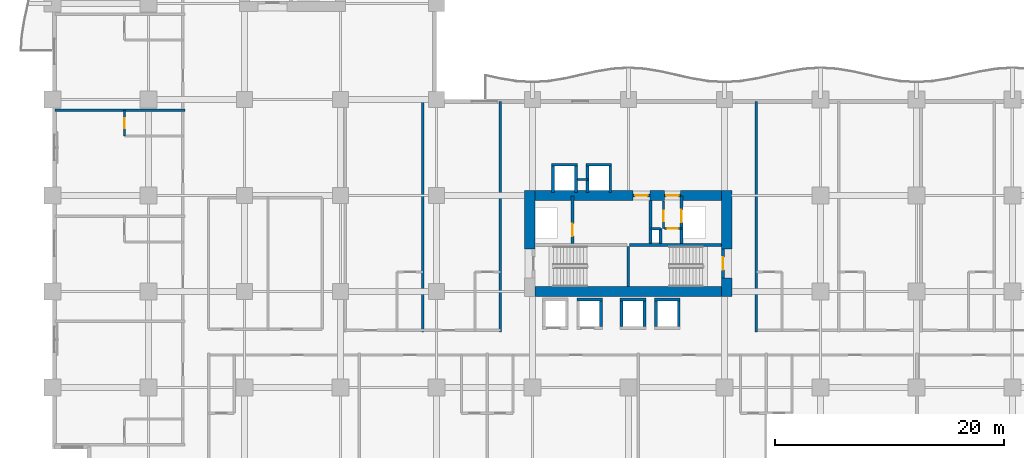
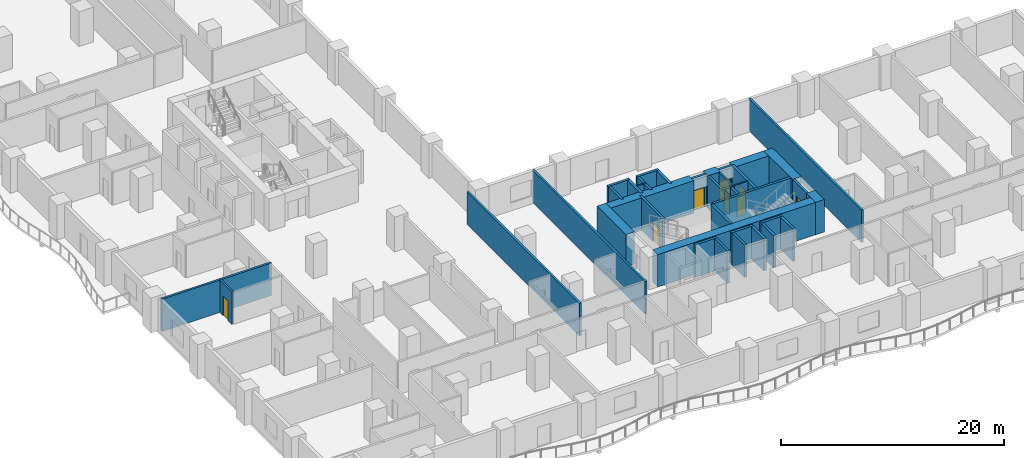
# One storey, part 10 of 24: 39 walls, 8 doors, 8 openings.
"""IFC4 building model written with IfcOpenShell, lengths in metres."""

from ifc_helpers import new_model, si_unit, direction, frame, frame_2d, origin, place, context, subcontext, project, spatial, rectangle, extrude, material, layer, layer_set, type_object, element, fill, save


model = new_model("IFC4")

# Units and contexts
model_context = context("Model", 3, precision=1e-05, world=origin(), true_north=direction((0.0, 1.0)))
body_context = subcontext(model_context, "Body", "Model", "MODEL_VIEW")
ifc_project = project(units=[si_unit("LENGTHUNIT", "METRE"), si_unit("AREAUNIT", "SQUARE_METRE"), si_unit("VOLUMEUNIT", "CUBIC_METRE"), si_unit("PLANEANGLEUNIT", "RADIAN"), si_unit("MASSUNIT", "GRAM", prefix="KILO")], contexts=[model_context])

# Site, building, storey
site_placement = place(None, origin())
site = spatial("IfcSite", under=ifc_project, at=site_placement, CompositionType="ELEMENT")
building_placement = place(site_placement, origin())
building = spatial("IfcBuilding", under=site, at=building_placement, Name="Koriwani Terraces Tower", CompositionType="ELEMENT")
storey_placement = place(building_placement, frame((0.0, 0.0, 47.199951171875)))
storey = spatial("IfcBuildingStorey", under=building, at=storey_placement, Name="L10", CompositionType="ELEMENT", Elevation=47.199951171875)

# Walls
ifc_material_1 = material(Name="Concrete C60/75", Category="concrete")
ifc_layer_1 = layer(ifc_material_1, 0.89990234375, Name="Concrete C60/75")
ifc_layer_set_1 = layer_set([ifc_layer_1], Name="Concrete C60/75")
wall_type_1 = type_object("IfcWallType", Name="WALL_CORE_RC_900", PredefinedType="SHEAR", material=ifc_layer_set_1)
wall_1_placement = place(storey_placement, frame((41.75, 20.5, 0.0), z_axis=(0.0, 0.0, 1.0), x_axis=(0.0, 1.0, 0.0)))
element("IfcWall", 1, at=wall_1_placement, inside=storey, type_object=wall_type_1, Name="L10 East Split Core Shear Wall W2", PredefinedType="SHEAR", context=body_context, shape_type="SweptSolid", body=[
    extrude(rectangle(XDim=5.14990234375, YDim=0.89990234375, at=frame_2d((2.574951171875, 0.0))), origin(), (0.0, 0.0, 1.0), 3.550048828125),
])
wall_2_placement = place(storey_placement, frame((59.0, 16.35009765625, 0.0), z_axis=(0.0, 0.0, 1.0), x_axis=(0.0, 1.0, 0.0)))
element("IfcWall", 2, at=wall_2_placement, inside=storey, type_object=wall_type_1, Name="L10 East Split Core Shear Wall E1", PredefinedType="SHEAR", context=body_context, shape_type="SweptSolid", body=[
    extrude(rectangle(XDim=1.64990234375, YDim=0.89990234375, at=frame_2d((0.824951171875, 0.0))), origin(), (0.0, 0.0, 1.0), 3.550048828125),
])
wall_3_placement = place(storey_placement, frame((59.0, 20.5, 0.0), z_axis=(0.0, 0.0, 1.0), x_axis=(0.0, 1.0, 0.0)))
element("IfcWall", 3, at=wall_3_placement, inside=storey, type_object=wall_type_1, Name="L10 East Split Core Shear Wall E2", PredefinedType="SHEAR", context=body_context, shape_type="SweptSolid", body=[
    extrude(rectangle(XDim=5.14990234375, YDim=0.89990234375, at=frame_2d((2.574951171875, 0.0))), origin(), (0.0, 0.0, 1.0), 3.550048828125),
])
wall_4_placement = place(storey_placement, frame((42.199951171875, 16.800048828125, 0.0), z_axis=(0.0, 0.0, 1.0), x_axis=(1.0, 0.0, 0.0)))
element("IfcWall", 4, at=wall_4_placement, inside=storey, type_object=wall_type_1, Name="L10 East Split Core Shear Wall S1", PredefinedType="SHEAR", context=body_context, shape_type="SweptSolid", body=[
    extrude(rectangle(XDim=16.35009765625, YDim=0.89990234375, at=frame_2d((8.175048828125, 0.0))), origin(), (0.0, 0.0, 1.0), 3.550048828125),
])
wall_5_placement = place(storey_placement, frame((42.199951171875, 25.199951171875, 0.0), z_axis=(0.0, 0.0, 1.0), x_axis=(1.0, 0.0, 0.0)))
element("IfcWall", 5, at=wall_5_placement, inside=storey, type_object=wall_type_1, Name="L10 East Split Core Shear Wall N1", PredefinedType="SHEAR", context=body_context, shape_type="SweptSolid", body=[
    extrude(rectangle(XDim=8.60009765625, YDim=0.89990234375, at=frame_2d((4.300048828125, 0.0))), origin(), (0.0, 0.0, 1.0), 3.550048828125),
])
wall_6_placement = place(storey_placement, frame((52.280029296875, 25.199951171875, 0.0), z_axis=(0.0, 0.0, 1.0), x_axis=(1.0, 0.0, 0.0)))
element("IfcWall", 6, at=wall_6_placement, inside=storey, type_object=wall_type_1, Name="L10 East Split Core Shear Wall N2", PredefinedType="SHEAR", context=body_context, shape_type="SweptSolid", body=[
    extrude(rectangle(XDim=1.27001953125, YDim=0.89990234375, at=frame_2d((0.635009765625, 0.0))), origin(), (0.0, 0.0, 1.0), 3.550048828125),
])
wall_7_placement = place(storey_placement, frame((54.949951171875, 25.199951171875, 0.0), z_axis=(0.0, 0.0, 1.0), x_axis=(1.0, 0.0, 0.0)))
element("IfcWall", 7, at=wall_7_placement, inside=storey, type_object=wall_type_1, Name="L10 East Split Core Shear Wall N3", PredefinedType="SHEAR", context=body_context, shape_type="SweptSolid", body=[
    extrude(rectangle(XDim=3.60009765625, YDim=0.89990234375, at=frame_2d((1.800048828125, 0.0))), origin(), (0.0, 0.0, 1.0), 3.550048828125),
])
ifc_material_2 = material(Name="Autoclaved Cellular Concrete Blockwork", Category="masonry")
ifc_layer_2 = layer(ifc_material_2, 0.219970703125, Name="Autoclaved Cellular Concrete Blockwork")
ifc_layer_set_2 = layer_set([ifc_layer_2], Name="Autoclaved Cellular Concrete Blockwork")
wall_type_2 = type_object("IfcWallType", Name="WALL_DEMISING_220", PredefinedType="PARTITIONING", material=ifc_layer_set_2)
for number, where, z_axis, x_axis, name in (
    (8, (32.39990234375, 13.25, 0.0), (0.0, 0.0, 1.0), (0.0, 1.0, 0.0), "L10 Interior Wall WDEM-L10-SWI-1"),
    (9, (39.199951171875, 13.25, 0.0), (0.0, 0.0, 1.0), (0.0, 1.0, 0.0), "L10 Interior Wall WDEME-L10-SWI"),
):
    element("IfcWall", number, at=place(storey_placement, frame(where, z_axis=z_axis, x_axis=x_axis)), inside=storey, type_object=wall_type_2, Name=name, PredefinedType="PARTITIONING", context=body_context, shape_type="SweptSolid", body=[
        extrude(rectangle(XDim=20.179931640625, YDim=0.219970703125, at=frame_2d((10.08984375, 0.0))), origin(), (0.0, 0.0, 1.0), 3.550048828125),
    ])
wall_8_placement = place(storey_placement, frame((0.199951171875, 32.64990234375, 0.0), z_axis=(0.0, 0.0, 1.0), x_axis=(1.0, 0.0, 0.0)))
element("IfcWall", 10, at=wall_8_placement, inside=storey, type_object=wall_type_2, Name="L10 Interior Wall WDEM-L10-NW-3", PredefinedType="PARTITIONING", context=body_context, shape_type="SweptSolid", body=[
    extrude(rectangle(XDim=11.380126953125, YDim=0.219970703125, at=frame_2d((5.68994140625, 0.0))), origin(), (0.0, 0.0, 1.0), 3.550048828125),
])
wall_9_placement = place(storey_placement, frame((61.60009765625, 13.25, 0.0), z_axis=(0.0, 0.0, 1.0), x_axis=(0.0, 1.0, 0.0)))
element("IfcWall", 11, at=wall_9_placement, inside=storey, type_object=wall_type_2, Name="L10 Interior Wall WDEM-L10-SE-0", PredefinedType="PARTITIONING", context=body_context, shape_type="SweptSolid", body=[
    extrude(rectangle(XDim=20.179931640625, YDim=0.219970703125, at=frame_2d((10.08984375, 0.0))), origin(), (0.0, 0.0, 1.0), 3.550048828125),
])

# Wall, opening, door
ifc_material_3 = material(Name="Fire-Rated Acoustic Gypsum Partition", Category="masonry")
ifc_layer_3 = layer(ifc_material_3, 0.179931640625, Name="Fire-Rated Acoustic Gypsum Partition")
ifc_layer_set_3 = layer_set([ifc_layer_3], Name="Fire-Rated Acoustic Gypsum Partition")
wall_type_3 = type_object("IfcWallType", Name="WALL_PLUMBING_180", PredefinedType="PLUMBINGWALL", material=ifc_layer_set_3)
wall_10_placement = place(storey_placement, frame((6.300048828125, 30.39990234375, 0.0), z_axis=(0.0, 0.0, 1.0), x_axis=(0.0, 1.0, 0.0)))
wall_10 = element("IfcWall", 12, at=wall_10_placement, inside=storey, type_object=wall_type_3, Name="L10 Interior Wall WBTH1-L10-NW-2", PredefinedType="PLUMBINGWALL", context=body_context, shape_type="SweptSolid", body=[
    extrude(rectangle(XDim=2.25, YDim=0.179931640625, at=frame_2d((1.125, 0.0))), origin(), (0.0, 0.0, 1.0), 3.550048828125),
])
opening_1_placement = place(wall_10_placement, frame((0.675048828125, 0.0, 0.0)))
opening_1 = element("IfcOpeningElement", 13, at=opening_1_placement, cuts=wall_10, Name="Opening D-07", PredefinedType="OPENING", context=body_context, shape_type="SweptSolid", body=[
    extrude(rectangle(XDim=0.89990234375, YDim=2.10009765625, at=frame_2d((0.449951171875, 1.050048828125))), frame((0.0, 0.10009765625, 0.0), z_axis=(0.0, -1.0, 0.0), x_axis=(1.0, 0.0, 0.0)), (0.0, 0.0, 1.0), 0.199951171875),
])
ifc_material_4 = material(Name="Architectural Oak Fire Door", Category="wood")
door_type_1 = type_object("IfcDoorType", Name="DOOR_BATH_INT_900X2100", OperationType="NOTDEFINED", PredefinedType="DOOR", material=ifc_material_4)
door_1_placement = place(opening_1_placement, origin())
door_1 = element("IfcDoor", 14, at=door_1_placement, inside=storey, type_object=door_type_1, Name="En-Suite Bathroom 10NW3 Door", OperationType="SINGLE_SWING_LEFT", OverallHeight=2.10009765625, OverallWidth=0.89990234375, PredefinedType="DOOR", context=body_context, shape_type="SweptSolid", body=[
    extrude(rectangle(XDim=0.89990234375, YDim=2.10009765625, at=frame_2d((0.449951171875, 1.050048828125))), frame((0.0, 0.02490234375, 0.0), z_axis=(0.0, -1.0, 0.0), x_axis=(1.0, 0.0, 0.0)), (0.0, 0.0, 1.0), 0.050048828125),
])
fill(opening_1, door_1)

# Walls
ifc_material_5 = material(Name="Concrete C40/50", Category="concrete")
ifc_layer_4 = layer(ifc_material_5, 0.25, Name="Concrete C40/50")
ifc_layer_set_4 = layer_set([ifc_layer_4], Name="Concrete C40/50")
wall_type_4 = type_object("IfcWallType", Name="WALL_SHAFT_RATED_250", PredefinedType="SOLIDWALL", material=ifc_layer_set_4)
wall_11_placement = place(storey_placement, frame((50.5, 20.875, 0.0), z_axis=(0.0, 0.0, 1.0), x_axis=(1.0, 0.0, 0.0)))
element("IfcWall", 15, at=wall_11_placement, inside=storey, type_object=wall_type_4, Name="L10 East Split Core Web Wall MID2", PredefinedType="SOLIDWALL", context=body_context, shape_type="SweptSolid", body=[
    extrude(rectangle(XDim=8.050048828125, YDim=0.25, at=frame_2d((4.02490234375, 0.0))), origin(), (0.0, 0.0, 1.0), 3.550048828125),
])
wall_12_placement = place(storey_placement, frame((50.375, 17.25, 0.0), z_axis=(0.0, 0.0, 1.0), x_axis=(0.0, 1.0, 0.0)))
element("IfcWall", 16, at=wall_12_placement, inside=storey, type_object=wall_type_4, Name="L10 East Split Core Stair Dividing Wall", PredefinedType="SOLIDWALL", context=body_context, shape_type="SweptSolid", body=[
    extrude(rectangle(XDim=3.5, YDim=0.25, at=frame_2d((1.75, 0.0))), origin(), (0.0, 0.0, 1.0), 3.550048828125),
])

# Wall, opening, door
wall_13_placement = place(storey_placement, frame((58.675048828125, 18.0, 0.0), z_axis=(0.0, 0.0, 1.0), x_axis=(0.0, 1.0, 0.0)))
wall_13 = element("IfcWall", 17, at=wall_13_placement, inside=storey, type_object=wall_type_4, Name="L10 Interior Wall WIN-CE-L10-STE", PredefinedType="SOLIDWALL", context=body_context, shape_type="SweptSolid", body=[
    extrude(rectangle(XDim=2.5, YDim=0.25, at=frame_2d((1.25, 0.0))), origin(), (0.0, 0.0, 1.0), 3.550048828125),
])
opening_2_placement = place(wall_13_placement, frame((0.699951171875, 0.0, 0.0)))
opening_2 = element("IfcOpeningElement", 18, at=opening_2_placement, cuts=wall_13, Name="Opening D-03", PredefinedType="OPENING", context=body_context, shape_type="SweptSolid", body=[
    extrude(rectangle(XDim=1.10009765625, YDim=2.14990234375, at=frame_2d((0.550048828125, 1.074951171875))), frame((0.0, 0.135009765625, 0.0), z_axis=(0.0, -1.0, 0.0), x_axis=(1.0, 0.0, 0.0)), (0.0, 0.0, 1.0), 0.27001953125),
])
ifc_material_6 = material(Name="Steel ASTM A572 Grade 50", Category="steel")
door_type_2 = type_object("IfcDoorType", Name="DOOR_STAIR_FIRE_1100X2150", OperationType="NOTDEFINED", PredefinedType="DOOR", material=ifc_material_6)
door_2_placement = place(opening_2_placement, origin())
door_2 = element("IfcDoor", 19, at=door_2_placement, inside=storey, type_object=door_type_2, Name="L10 Exit Stair ST-E2 Door", OperationType="SINGLE_SWING_LEFT", OverallHeight=2.14990234375, OverallWidth=1.10009765625, PredefinedType="DOOR", context=body_context, shape_type="SweptSolid", body=[
    extrude(rectangle(XDim=1.10009765625, YDim=2.14990234375, at=frame_2d((0.550048828125, 1.074951171875))), frame((0.0, 0.02490234375, 0.0), z_axis=(0.0, -1.0, 0.0), x_axis=(1.0, 0.0, 0.0)), (0.0, 0.0, 1.0), 0.050048828125),
])
fill(opening_2, door_2)

wall_14_placement = place(storey_placement, frame((45.5, 21.0, 0.0), z_axis=(0.0, 0.0, 1.0), x_axis=(0.0, 1.0, 0.0)))
wall_14 = element("IfcWall", 20, at=wall_14_placement, inside=storey, type_object=wall_type_4, Name="L10 Interior Wall WIN-CE-L10-FE", PredefinedType="SOLIDWALL", context=body_context, shape_type="SweptSolid", body=[
    extrude(rectangle(XDim=4.14990234375, YDim=0.25, at=frame_2d((2.074951171875, 0.0))), origin(), (0.0, 0.0, 1.0), 3.550048828125),
])
opening_3_placement = place(wall_14_placement, frame((0.64990234375, 0.0, 0.0)))
opening_3 = element("IfcOpeningElement", 21, at=opening_3_placement, cuts=wall_14, Name="Opening LD-01", PredefinedType="OPENING", context=body_context, shape_type="SweptSolid", body=[
    extrude(rectangle(XDim=1.10009765625, YDim=2.14990234375, at=frame_2d((0.550048828125, 1.074951171875))), frame((0.0, 0.135009765625, 0.0), z_axis=(0.0, -1.0, 0.0), x_axis=(1.0, 0.0, 0.0)), (0.0, 0.0, 1.0), 0.27001953125),
])
door_type_3 = type_object("IfcDoorType", Name="DOOR_LIFT_LANDING_1100X2200", OperationType="NOTDEFINED", PredefinedType="DOOR", material=ifc_material_6)
door_3_placement = place(opening_3_placement, origin())
door_3 = element("IfcDoor", 22, at=door_3_placement, inside=storey, type_object=door_type_3, Name="L10 Firefighting Lift FE-02 Landing Door", OperationType="SLIDING_TO_LEFT", OverallHeight=2.14990234375, OverallWidth=1.10009765625, PredefinedType="DOOR", context=body_context, shape_type="SweptSolid", body=[
    extrude(rectangle(XDim=1.10009765625, YDim=2.14990234375, at=frame_2d((0.550048828125, 1.074951171875))), frame((0.0, 0.02490234375, 0.0), z_axis=(0.0, -1.0, 0.0), x_axis=(1.0, 0.0, 0.0)), (0.0, 0.0, 1.0), 0.050048828125),
])
fill(opening_3, door_3)

wall_15_placement = place(storey_placement, frame((50.800048828125, 25.199951171875, 0.0), z_axis=(0.0, 0.0, 1.0), x_axis=(1.0, 0.0, 0.0)))
wall_15 = element("IfcWall", 23, at=wall_15_placement, inside=storey, type_object=wall_type_4, Name="L10 Interior Wall WIN-CE-L10-NP", PredefinedType="SOLIDWALL", context=body_context, shape_type="SweptSolid", body=[
    extrude(rectangle(XDim=1.47998046875, YDim=0.25, at=frame_2d((0.739990234375, 0.0))), origin(), (0.0, 0.0, 1.0), 3.550048828125),
])
opening_4_placement = place(wall_15_placement, frame((0.179931640625, 0.0, 0.0)))
opening_4 = element("IfcOpeningElement", 24, at=opening_4_placement, cuts=wall_15, Name="Opening D-03", PredefinedType="OPENING", context=body_context, shape_type="SweptSolid", body=[
    extrude(rectangle(XDim=1.10009765625, YDim=2.14990234375, at=frame_2d((0.550048828125, 1.074951171875))), frame((0.0, 0.135009765625, 0.0), z_axis=(0.0, -1.0, 0.0), x_axis=(1.0, 0.0, 0.0)), (0.0, 0.0, 1.0), 0.27001953125),
])
door_4_placement = place(opening_4_placement, origin())
door_4 = element("IfcDoor", 25, at=door_4_placement, inside=storey, type_object=door_type_2, Name="L10 East Firefighting Lobby Door", OperationType="SINGLE_SWING_RIGHT", OverallHeight=2.14990234375, OverallWidth=1.10009765625, PredefinedType="DOOR", context=body_context, shape_type="SweptSolid", body=[
    extrude(rectangle(XDim=1.10009765625, YDim=2.14990234375, at=frame_2d((0.550048828125, 1.074951171875))), frame((0.0, 0.02490234375, 0.0), z_axis=(0.0, -1.0, 0.0), x_axis=(1.0, 0.0, 0.0)), (0.0, 0.0, 1.0), 0.050048828125),
])
fill(opening_4, door_4)

# Wall
wall_16_placement = place(storey_placement, frame((52.340087890625, 21.0, 0.0), z_axis=(0.0, 0.0, 1.0), x_axis=(0.0, 1.0, 0.0)))
element("IfcWall", 26, at=wall_16_placement, inside=storey, type_object=wall_type_4, Name="L10 Interior Wall WIN-CE-L10-FFE", PredefinedType="SOLIDWALL", context=body_context, shape_type="SweptSolid", body=[
    extrude(rectangle(XDim=3.75, YDim=0.25, at=frame_2d((1.875, 0.0))), origin(), (0.0, 0.0, 1.0), 3.550048828125),
])

# Wall, opening, door
wall_17_placement = place(storey_placement, frame((55.050048828125, 21.0, 0.0), z_axis=(0.0, 0.0, 1.0), x_axis=(0.0, 1.0, 0.0)))
wall_17 = element("IfcWall", 27, at=wall_17_placement, inside=storey, type_object=wall_type_4, Name="L10 Interior Wall WIN-CE-L10-SE", PredefinedType="SOLIDWALL", context=body_context, shape_type="SweptSolid", body=[
    extrude(rectangle(XDim=4.14990234375, YDim=0.25, at=frame_2d((2.074951171875, 0.0))), origin(), (0.0, 0.0, 1.0), 3.550048828125),
])
opening_5_placement = place(wall_17_placement, frame((1.85009765625, 0.0, 0.0)))
opening_5 = element("IfcOpeningElement", 28, at=opening_5_placement, cuts=wall_17, Name="Opening LD-01", PredefinedType="OPENING", context=body_context, shape_type="SweptSolid", body=[
    extrude(rectangle(XDim=1.10009765625, YDim=2.14990234375, at=frame_2d((0.550048828125, 1.074951171875))), frame((0.0, 0.135009765625, 0.0), z_axis=(0.0, -1.0, 0.0), x_axis=(1.0, 0.0, 0.0)), (0.0, 0.0, 1.0), 0.27001953125),
])
door_5_placement = place(opening_5_placement, origin())
door_5 = element("IfcDoor", 29, at=door_5_placement, inside=storey, type_object=door_type_3, Name="L10 Goods Lift SE-02 Landing Door", OperationType="SLIDING_TO_LEFT", OverallHeight=2.14990234375, OverallWidth=1.10009765625, PredefinedType="DOOR", context=body_context, shape_type="SweptSolid", body=[
    extrude(rectangle(XDim=1.10009765625, YDim=2.14990234375, at=frame_2d((0.550048828125, 1.074951171875))), frame((0.0, 0.02490234375, 0.0), z_axis=(0.0, -1.0, 0.0), x_axis=(1.0, 0.0, 0.0)), (0.0, 0.0, 1.0), 0.050048828125),
])
fill(opening_5, door_5)

wall_18_placement = place(storey_placement, frame((53.550048828125, 25.199951171875, 0.0), z_axis=(0.0, 0.0, 1.0), x_axis=(1.0, 0.0, 0.0)))
wall_18 = element("IfcWall", 30, at=wall_18_placement, inside=storey, type_object=wall_type_4, Name="L10 Interior Wall WIN-CE-L10-NP2", PredefinedType="SOLIDWALL", context=body_context, shape_type="SweptSolid", body=[
    extrude(rectangle(XDim=1.39990234375, YDim=0.25, at=frame_2d((0.699951171875, 0.0))), origin(), (0.0, 0.0, 1.0), 3.550048828125),
])
opening_6_placement = place(wall_18_placement, frame((0.14990234375, 0.0, 0.0)))
opening_6 = element("IfcOpeningElement", 31, at=opening_6_placement, cuts=wall_18, Name="Opening D-03", PredefinedType="OPENING", context=body_context, shape_type="SweptSolid", body=[
    extrude(rectangle(XDim=1.10009765625, YDim=2.14990234375, at=frame_2d((0.550048828125, 1.074951171875))), frame((0.0, 0.135009765625, 0.0), z_axis=(0.0, -1.0, 0.0), x_axis=(1.0, 0.0, 0.0)), (0.0, 0.0, 1.0), 0.27001953125),
])
door_6_placement = place(opening_6_placement, origin())
door_6 = element("IfcDoor", 32, at=door_6_placement, inside=storey, type_object=door_type_2, Name="L10 East Goods Lift Lobby Door", OperationType="SINGLE_SWING_LEFT", OverallHeight=2.14990234375, OverallWidth=1.10009765625, PredefinedType="DOOR", context=body_context, shape_type="SweptSolid", body=[
    extrude(rectangle(XDim=1.10009765625, YDim=2.14990234375, at=frame_2d((0.550048828125, 1.074951171875))), frame((0.0, 0.02490234375, 0.0), z_axis=(0.0, -1.0, 0.0), x_axis=(1.0, 0.0, 0.0)), (0.0, 0.0, 1.0), 0.050048828125),
])
fill(opening_6, door_6)

# Walls
wall_19_placement = place(storey_placement, frame((53.199951171875, 21.0, 0.0), z_axis=(0.0, 0.0, 1.0), x_axis=(0.0, 1.0, 0.0)))
element("IfcWall", 33, at=wall_19_placement, inside=storey, type_object=wall_type_4, Name="L10 Interior Wall WIN-CE-L10-RS1", PredefinedType="SOLIDWALL", context=body_context, shape_type="SweptSolid", body=[
    extrude(rectangle(XDim=1.300048828125, YDim=0.25, at=frame_2d((0.64990234375, 0.0))), origin(), (0.0, 0.0, 1.0), 3.550048828125),
])
wall_20_placement = place(storey_placement, frame((52.360107421875, 22.300048828125, 0.0), z_axis=(0.0, 0.0, 1.0), x_axis=(1.0, 0.0, 0.0)))
element("IfcWall", 34, at=wall_20_placement, inside=storey, type_object=wall_type_4, Name="L10 Interior Wall WIN-CE-L10-RS2", PredefinedType="SOLIDWALL", context=body_context, shape_type="SweptSolid", body=[
    extrude(rectangle(XDim=0.83984375, YDim=0.25, at=frame_2d((0.419921875, 0.0))), origin(), (0.0, 0.0, 1.0), 3.550048828125),
])
for number, where, z_axis, x_axis, name in (
    (35, (45.875, 16.10009765625, 0.0), (0.0, 0.0, 1.0), (1.0, 0.0, 0.0), "L10 Interior Wall WIN-LF-PE-L4-L10-B"),
    (36, (48.0, 13.72509765625, 0.0), (0.0, 0.0, 1.0), (0.0, 1.0, 0.0), "L10 Interior Wall WIN-LF-PE-L4-L10-E"),
    (37, (49.675048828125, 16.10009765625, 0.0), (0.0, 0.0, 1.0), (1.0, 0.0, 0.0), "L10 Interior Wall WIN-LF-PE-M3-L10-B"),
    (38, (49.800048828125, 13.72509765625, 0.0), (0.0, 0.0, 1.0), (0.0, 1.0, 0.0), "L10 Interior Wall WIN-LF-PE-M3-L10-W"),
    (39, (51.800048828125, 13.72509765625, 0.0), (0.0, 0.0, 1.0), (0.0, 1.0, 0.0), "L10 Interior Wall WIN-LF-PE-M3-L10-E"),
    (40, (52.675048828125, 16.10009765625, 0.0), (0.0, 0.0, 1.0), (1.0, 0.0, 0.0), "L10 Interior Wall WIN-LF-PE-M4-L10-B"),
    (41, (52.800048828125, 13.72509765625, 0.0), (0.0, 0.0, 1.0), (0.0, 1.0, 0.0), "L10 Interior Wall WIN-LF-PE-M4-L10-W"),
    (42, (54.800048828125, 13.72509765625, 0.0), (0.0, 0.0, 1.0), (0.0, 1.0, 0.0), "L10 Interior Wall WIN-LF-PE-M4-L10-E"),
    (43, (43.675048828125, 27.89990234375, 0.0), (0.0, 0.0, 1.0), (1.0, 0.0, 0.0), "L10 Interior Wall WIN-LF-PE-H3-L10-F"),
):
    element("IfcWall", number, at=place(storey_placement, frame(where, z_axis=z_axis, x_axis=x_axis)), inside=storey, type_object=wall_type_4, Name=name, PredefinedType="SOLIDWALL", context=body_context, shape_type="SweptSolid", body=[
        extrude(rectangle(XDim=2.25, YDim=0.25, at=frame_2d((1.125, 0.0))), origin(), (0.0, 0.0, 1.0), 3.550048828125),
    ])
for number, where, z_axis, x_axis, name in (
    (44, (43.800048828125, 25.449951171875, 0.0), (0.0, 0.0, 1.0), (0.0, 1.0, 0.0), "L10 Interior Wall WIN-LF-PE-H3-L10-W"),
    (45, (45.800048828125, 25.449951171875, 0.0), (0.0, 0.0, 1.0), (0.0, 1.0, 0.0), "L10 Interior Wall WIN-LF-PE-H3-L10-E"),
):
    element("IfcWall", number, at=place(storey_placement, frame(where, z_axis=z_axis, x_axis=x_axis)), inside=storey, type_object=wall_type_4, Name=name, PredefinedType="SOLIDWALL", context=body_context, shape_type="SweptSolid", body=[
        extrude(rectangle(XDim=2.324951171875, YDim=0.25, at=frame_2d((1.16259765625, 0.0))), origin(), (0.0, 0.0, 1.0), 3.550048828125),
    ])
wall_21_placement = place(storey_placement, frame((46.675048828125, 27.89990234375, 0.0), z_axis=(0.0, 0.0, 1.0), x_axis=(1.0, 0.0, 0.0)))
element("IfcWall", 46, at=wall_21_placement, inside=storey, type_object=wall_type_4, Name="L10 Interior Wall WIN-LF-PE-H4-L10-F", PredefinedType="SOLIDWALL", context=body_context, shape_type="SweptSolid", body=[
    extrude(rectangle(XDim=2.25, YDim=0.25, at=frame_2d((1.125, 0.0))), origin(), (0.0, 0.0, 1.0), 3.550048828125),
])
for number, where, z_axis, x_axis, name in (
    (47, (46.800048828125, 25.449951171875, 0.0), (0.0, 0.0, 1.0), (0.0, 1.0, 0.0), "L10 Interior Wall WIN-LF-PE-H4-L10-W"),
    (48, (48.800048828125, 25.449951171875, 0.0), (0.0, 0.0, 1.0), (0.0, 1.0, 0.0), "L10 Interior Wall WIN-LF-PE-H4-L10-E"),
):
    element("IfcWall", number, at=place(storey_placement, frame(where, z_axis=z_axis, x_axis=x_axis)), inside=storey, type_object=wall_type_4, Name=name, PredefinedType="SOLIDWALL", context=body_context, shape_type="SweptSolid", body=[
        extrude(rectangle(XDim=2.324951171875, YDim=0.25, at=frame_2d((1.16259765625, 0.0))), origin(), (0.0, 0.0, 1.0), 3.550048828125),
    ])

# Wall, opening, door
ifc_layer_5 = layer(ifc_material_3, 0.159912109375, Name="Fire-Rated Acoustic Gypsum Partition")
ifc_layer_set_5 = layer_set([ifc_layer_5], Name="Fire-Rated Acoustic Gypsum Partition")
wall_type_5 = type_object("IfcWallType", Name="WALL_SUITE_160", PredefinedType="PARTITIONING", material=ifc_layer_set_5)
wall_22_placement = place(storey_placement, frame((53.56005859375, 22.320068359375, 0.0), z_axis=(0.0, 0.0, 1.0), x_axis=(1.0, 0.0, 0.0)))
wall_22 = element("IfcWall", 49, at=wall_22_placement, inside=storey, type_object=wall_type_5, Name="L10 Interior Wall WIN-CE-L10-SV1A", PredefinedType="PARTITIONING", context=body_context, shape_type="SweptSolid", body=[
    extrude(rectangle(XDim=1.43994140625, YDim=0.159912109375, at=frame_2d((0.719970703125, 0.0))), origin(), (0.0, 0.0, 1.0), 3.550048828125),
])
opening_7_placement = place(wall_22_placement, frame((0.260009765625, 0.0, 0.0)))
opening_7 = element("IfcOpeningElement", 50, at=opening_7_placement, cuts=wall_22, Name="Opening D-07", PredefinedType="OPENING", context=body_context, shape_type="SweptSolid", body=[
    extrude(rectangle(XDim=0.89990234375, YDim=2.10009765625, at=frame_2d((0.449951171875, 1.050048828125))), frame((0.0, 0.08984375, 0.0), z_axis=(0.0, -1.0, 0.0), x_axis=(1.0, 0.0, 0.0)), (0.0, 0.0, 1.0), 0.179931640625),
])
door_7_placement = place(opening_7_placement, origin())
door_7 = element("IfcDoor", 51, at=door_7_placement, inside=storey, type_object=door_type_1, Name="L10 East Telecom Room Door", OperationType="SINGLE_SWING_RIGHT", OverallHeight=2.10009765625, OverallWidth=0.89990234375, PredefinedType="DOOR", context=body_context, shape_type="SweptSolid", body=[
    extrude(rectangle(XDim=0.89990234375, YDim=2.10009765625, at=frame_2d((0.449951171875, 1.050048828125))), frame((0.0, 0.02490234375, 0.0), z_axis=(0.0, -1.0, 0.0), x_axis=(1.0, 0.0, 0.0)), (0.0, 0.0, 1.0), 0.050048828125),
])
fill(opening_7, door_7)

wall_23_placement = place(storey_placement, frame((53.4599609375, 22.320068359375, 0.0), z_axis=(0.0, 0.0, 1.0), x_axis=(0.0, 1.0, 0.0)))
wall_23 = element("IfcWall", 52, at=wall_23_placement, inside=storey, type_object=wall_type_5, Name="L10 Interior Wall WIN-CE-L10-SV1B", PredefinedType="PARTITIONING", context=body_context, shape_type="SweptSolid", body=[
    extrude(rectangle(XDim=2.39990234375, YDim=0.159912109375, at=frame_2d((1.199951171875, 0.0))), origin(), (0.0, 0.0, 1.0), 3.550048828125),
])
opening_8_placement = place(wall_23_placement, frame((0.64990234375, 0.0, 0.0)))
opening_8 = element("IfcOpeningElement", 53, at=opening_8_placement, cuts=wall_23, Name="Opening D-07", PredefinedType="OPENING", context=body_context, shape_type="SweptSolid", body=[
    extrude(rectangle(XDim=0.89990234375, YDim=2.10009765625, at=frame_2d((0.449951171875, 1.050048828125))), frame((0.0, 0.08984375, 0.0), z_axis=(0.0, -1.0, 0.0), x_axis=(1.0, 0.0, 0.0)), (0.0, 0.0, 1.0), 0.179931640625),
])
door_8_placement = place(opening_8_placement, origin())
door_8 = element("IfcDoor", 54, at=door_8_placement, inside=storey, type_object=door_type_1, Name="L10 East Cleaners Closet Door", OperationType="SINGLE_SWING_LEFT", OverallHeight=2.10009765625, OverallWidth=0.89990234375, PredefinedType="DOOR", context=body_context, shape_type="SweptSolid", body=[
    extrude(rectangle(XDim=0.89990234375, YDim=2.10009765625, at=frame_2d((0.449951171875, 1.050048828125))), frame((0.0, 0.02490234375, 0.0), z_axis=(0.0, -1.0, 0.0), x_axis=(1.0, 0.0, 0.0)), (0.0, 0.0, 1.0), 0.050048828125),
])
fill(opening_8, door_8)

# Wall
wall_24_placement = place(storey_placement, frame((45.9599609375, 26.60009765625, 0.0), z_axis=(0.0, 0.0, 1.0), x_axis=(1.0, 0.0, 0.0)))
element("IfcWall", 55, at=wall_24_placement, inside=storey, type_object=wall_type_5, Name="L10 Interior Wall WIN-LF-PEH34-MID-L10", PredefinedType="PARTITIONING", context=body_context, shape_type="SweptSolid", body=[
    extrude(rectangle(XDim=0.880126953125, YDim=0.159912109375, at=frame_2d((0.43994140625, 0.0))), origin(), (0.0, 0.0, 1.0), 3.550048828125),
])

save(model, "model.ifc")
